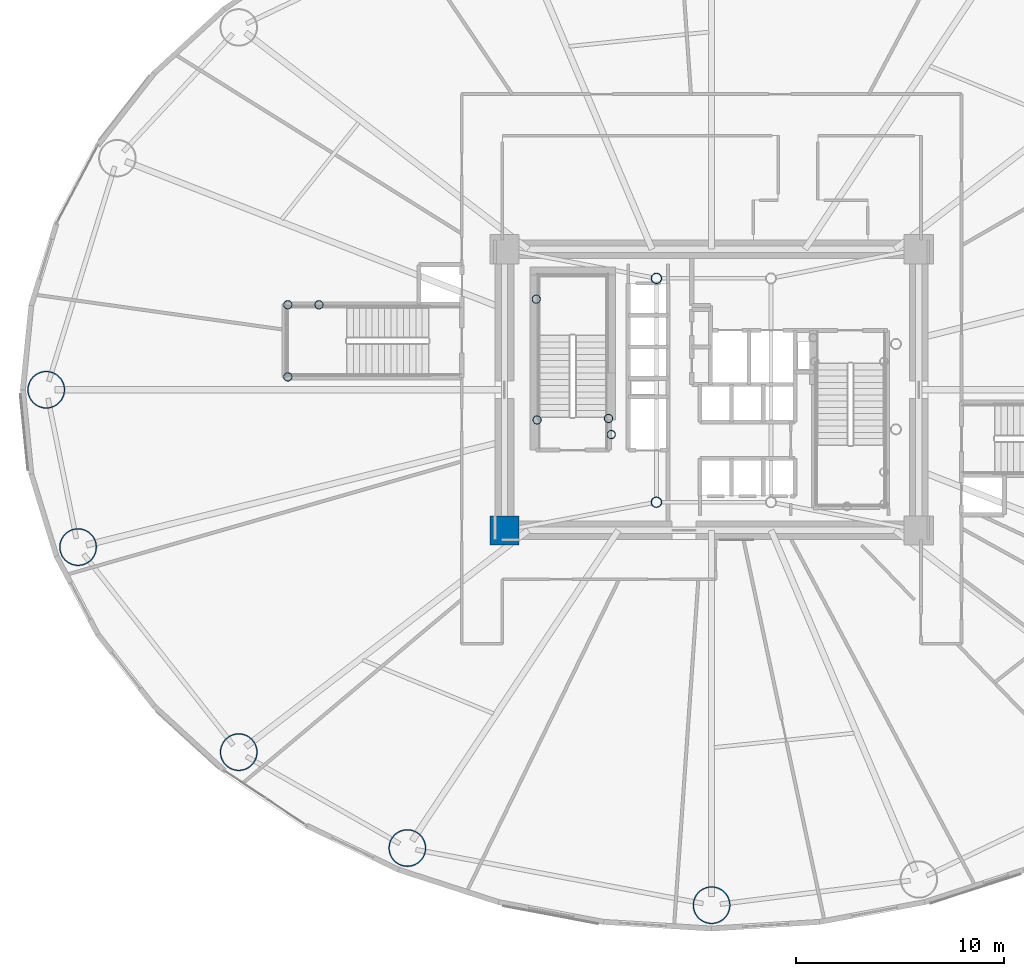
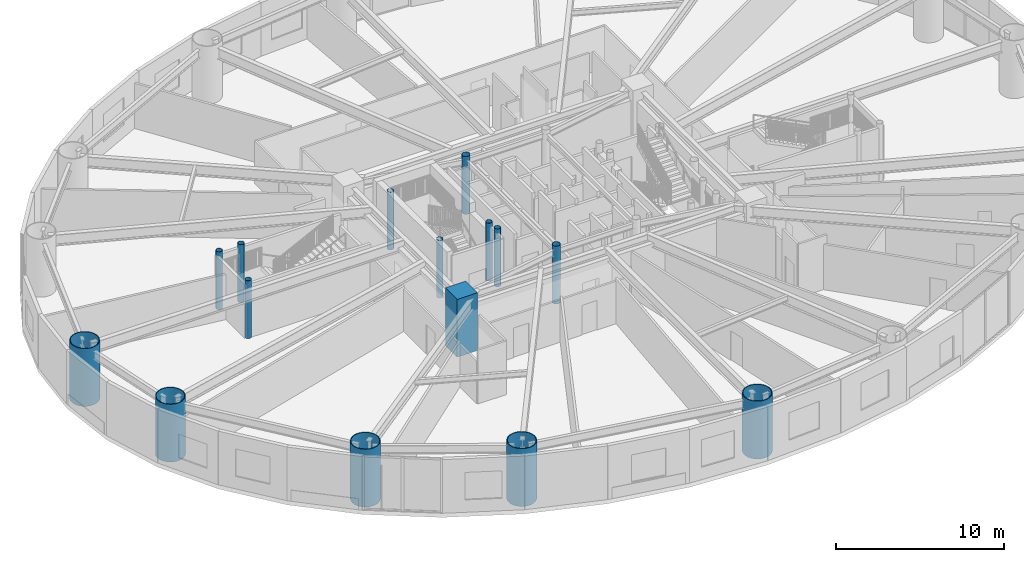
# One storey, part 1 of 27: 15 columns.
"""IFC4 building model written with IfcOpenShell, lengths in metres."""

from ifc_helpers import new_model, si_unit, direction, frame, origin, origin_2d, place, context, subcontext, project, spatial, rectangle, hollow_circle, extrude, material, material_profile, profile_set, type_object, element, save


model = new_model("IFC4")

# Units and contexts
model_context = context("Model", 3, precision=1e-05, world=origin(), true_north=direction((0.0, 1.0)))
body_context = subcontext(model_context, "Body", "Model", "MODEL_VIEW")
ifc_project = project(units=[si_unit("LENGTHUNIT", "METRE"), si_unit("AREAUNIT", "SQUARE_METRE"), si_unit("VOLUMEUNIT", "CUBIC_METRE"), si_unit("PLANEANGLEUNIT", "RADIAN"), si_unit("MASSUNIT", "GRAM", prefix="KILO")], contexts=[model_context])

# Site, building, storey
site_placement = place(None, origin())
site = spatial("IfcSite", under=ifc_project, at=site_placement, CompositionType="ELEMENT")
building_placement = place(site_placement, origin())
building = spatial("IfcBuilding", under=site, at=building_placement, Name="Linh Dai School and Residence Tower", CompositionType="ELEMENT")
storey_placement = place(building_placement, frame((0.0, 0.0, 18.60009765625)))
storey = spatial("IfcBuildingStorey", under=building, at=storey_placement, Name="L04", CompositionType="ELEMENT", Elevation=18.60009765625)

# Columns
ifc_material_1 = material(Name="Concrete B60 (C50/60)", Category="concrete")
ifc_material_profile_1 = material_profile(ifc_material_1, rectangle(XDim=1.39990234375, YDim=1.39990234375, at=origin_2d()), Name="RC 1400x1400")
ifc_profile_set_1 = profile_set([ifc_material_profile_1], Name="Concrete B60 (C50/60)")
column_type_1 = type_object("IfcColumnType", Name="COL-CC1", PredefinedType="COLUMN", material=ifc_profile_set_1)
column_placement = place(storey_placement, frame((26.050048828125, 20.25, 0.0), z_axis=(0.0, 0.0, 1.0), x_axis=(1.0, 0.0, 0.0)))
element("IfcColumn", 1, at=column_placement, inside=storey, type_object=column_type_1, Name="L04 Core Corner Pier CC1", PredefinedType="COLUMN", context=body_context, shape_type="SweptSolid", body=[
    extrude(rectangle(XDim=1.39990234375, YDim=1.39990234375, at=origin_2d()), origin(), (0.0, 0.0, 1.0), 4.199951171875),
])
ifc_material_2 = material(Name="Structural Steel S355JR", Category="steel")
ifc_material_profile_2 = material_profile(ifc_material_2, hollow_circle(Radius=0.203125, WallThickness=0.01611328125, at=origin_2d()), Name="CHS 406.4x16")
ifc_profile_set_2 = profile_set([ifc_material_profile_2], Name="Structural Steel S355JR")
column_type_2 = type_object("IfcColumnType", Name="COL-EC", PredefinedType="COLUMN", material=ifc_profile_set_2)
for number, where, z_axis, x_axis, name in (
    (2, (27.580078125, 31.35009765625, 0.0), (0.0, 0.0, 1.0), (1.0, 0.0, 0.0), "L04 Stair Shaft Landing Support Pier ST1NW"),
    (3, (31.050048828125, 25.6201171875, 0.0), (0.0, 0.0, 1.0), (1.0, 0.0, 0.0), "L04 Stair Shaft Landing Support Pier ST1SE"),
    (4, (31.179931640625, 24.85009765625, 0.0), (0.0, 0.0, 1.0), (1.0, 0.0, 0.0), "L04 Stair Shaft Landing Support Pier ST1SM"),
    (5, (27.6201171875, 25.550048828125, 0.0), (0.0, 0.0, 1.0), (1.0, 0.0, 0.0), "L04 Stair Shaft Landing Support Pier ST1SW"),
    (6, (15.64990234375, 27.6201171875, 0.0), (0.0, 0.0, 1.0), (1.0, 0.0, 0.0), "L04 Stair Shaft Landing Support Pier STS1SW"),
    (7, (15.64990234375, 31.080078125, 0.0), (0.0, 0.0, 1.0), (1.0, 0.0, 0.0), "L04 Stair Shaft Landing Support Pier STS1NW"),
    (8, (17.14990234375, 31.080078125, 0.0), (0.0, 0.0, 1.0), (1.0, 0.0, 0.0), "L04 Stair Shaft Landing Support Pier STS1ME"),
):
    element("IfcColumn", number, at=place(storey_placement, frame(where, z_axis=z_axis, x_axis=x_axis)), inside=storey, type_object=column_type_2, Name=name, PredefinedType="COLUMN", context=body_context, shape_type="SweptSolid", body=[
        extrude(hollow_circle(Radius=0.203125, WallThickness=0.01611328125, at=origin_2d()), origin(), (0.0, 0.0, 1.0), 4.199951171875),
    ])
ifc_material_profile_3 = material_profile(ifc_material_2, hollow_circle(Radius=0.89990234375, WallThickness=0.050048828125, at=origin_2d()), Name="CHS 1800x50")
ifc_profile_set_3 = profile_set([ifc_material_profile_3], Name="Structural Steel S355JR")
column_type_3 = type_object("IfcColumnType", Name="COL-MC1", PredefinedType="COLUMN", material=ifc_profile_set_3)
for number, where, z_axis, x_axis, name in (
    (9, (4.050048828125, 27.0, 0.0), (0.0, 0.0, 1.0), (1.0, 0.0, 0.0), "L04 Perimeter CFT Mega-Column MC09"),
    (10, (5.57958984375, 19.444580078125, 0.0), (0.0, 0.0, 1.0), (1.0, 0.0, 0.0), "L04 Perimeter CFT Mega-Column MC10"),
    (11, (13.294677734375, 9.599365234375, 0.0), (0.0, 0.0, 1.0), (1.0, 0.0, 0.0), "L04 Perimeter CFT Mega-Column MC11"),
    (12, (21.390869140625, 4.994873046875, 0.0), (0.0, 0.0, 1.0), (1.0, 0.0, 0.0), "L04 Perimeter CFT Mega-Column MC12"),
    (13, (36.0, 2.25, 0.0), (0.0, 0.0, 1.0), (1.0, 0.0, 0.0), "L04 Perimeter CFT Mega-Column MC13"),
):
    element("IfcColumn", number, at=place(storey_placement, frame(where, z_axis=z_axis, x_axis=x_axis)), inside=storey, type_object=column_type_3, Name=name, PredefinedType="COLUMN", context=body_context, shape_type="SweptSolid", body=[
        extrude(hollow_circle(Radius=0.89990234375, WallThickness=0.050048828125, at=origin_2d()), origin(), (0.0, 0.0, 1.0), 4.199951171875),
    ])
ifc_material_profile_4 = material_profile(ifc_material_2, hollow_circle(Radius=0.25390625, WallThickness=0.02001953125, at=origin_2d()), Name="CHS 508x20")
ifc_profile_set_4 = profile_set([ifc_material_profile_4], Name="Structural Steel S355JR")
column_type_4 = type_object("IfcColumnType", Name="COL-MCP", PredefinedType="COLUMN", material=ifc_profile_set_4)
for number, where, z_axis, x_axis, name in (
    (14, (33.35009765625, 21.60009765625, 0.0), (0.0, 0.0, 1.0), (1.0, 0.0, 0.0), "L04 Core Mast Support Pier MCP1"),
    (15, (33.35009765625, 32.35009765625, 0.0), (0.0, 0.0, 1.0), (1.0, 0.0, 0.0), "L04 Core Mast Support Pier MCP4"),
):
    element("IfcColumn", number, at=place(storey_placement, frame(where, z_axis=z_axis, x_axis=x_axis)), inside=storey, type_object=column_type_4, Name=name, PredefinedType="COLUMN", context=body_context, shape_type="SweptSolid", body=[
        extrude(hollow_circle(Radius=0.25390625, WallThickness=0.02001953125, at=origin_2d()), origin(), (0.0, 0.0, 1.0), 4.199951171875),
    ])

save(model, "model.ifc")
